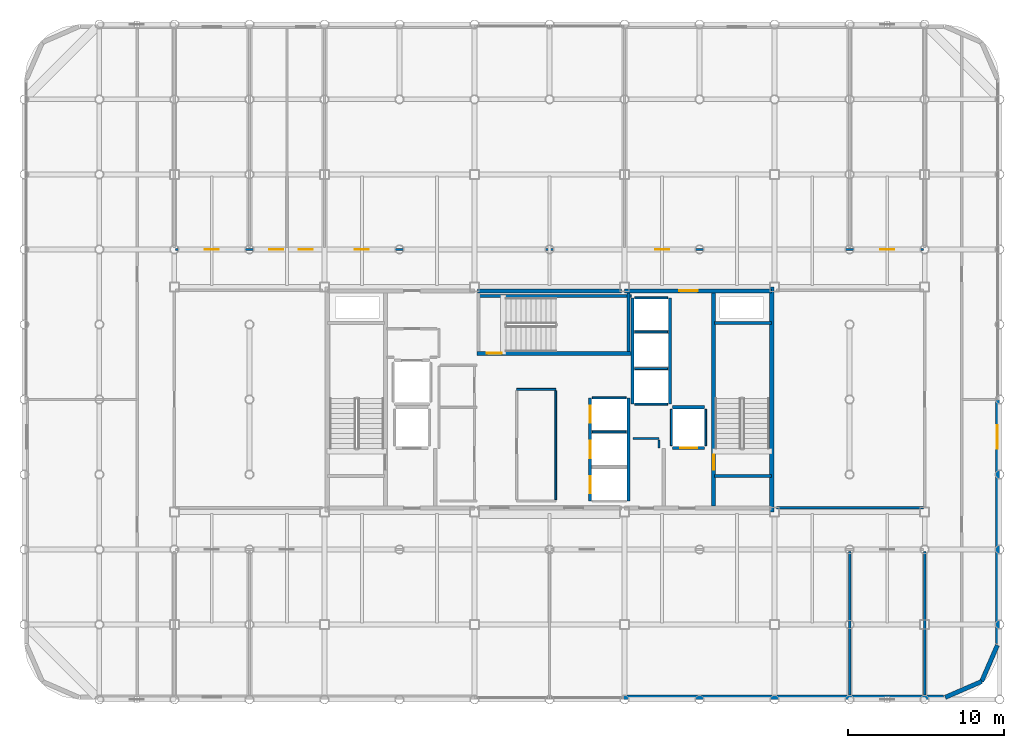
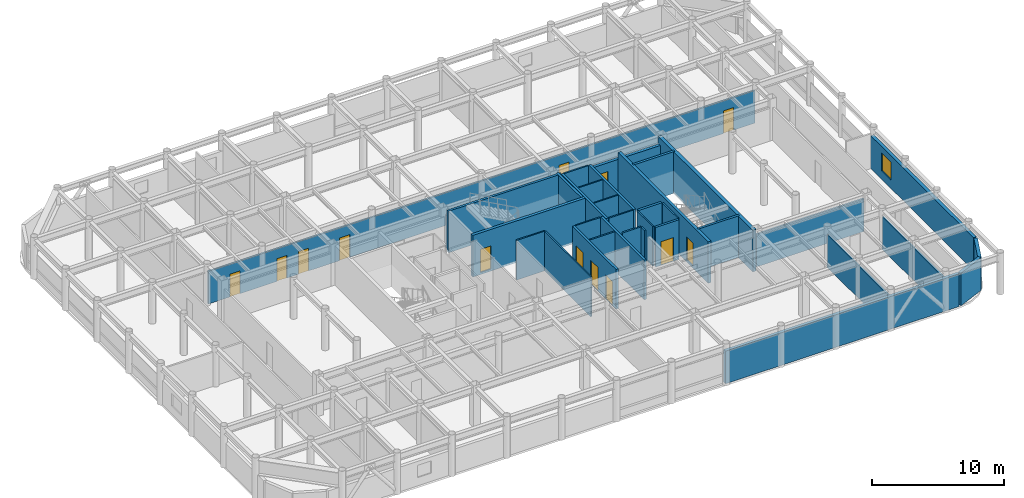
# One storey, part 19 of 21: 35 walls, 13 doors, 1 window, 14 openings.
"""IFC4 building model written with IfcOpenShell, lengths in metres."""

from ifc_helpers import new_model, si_unit, direction, frame, frame_2d, origin, place, context, subcontext, project, spatial, rectangle, extrude, material, layer, layer_set, type_object, element, fill, save


model = new_model("IFC4")

# Units and contexts
model_context = context("Model", 3, precision=1e-05, world=origin(), true_north=direction((0.0, 1.0)))
body_context = subcontext(model_context, "Body", "Model", "MODEL_VIEW")
ifc_project = project(units=[si_unit("LENGTHUNIT", "METRE"), si_unit("AREAUNIT", "SQUARE_METRE"), si_unit("VOLUMEUNIT", "CUBIC_METRE"), si_unit("PLANEANGLEUNIT", "RADIAN"), si_unit("MASSUNIT", "GRAM", prefix="KILO")], contexts=[model_context])

# Site, building, storey
site_placement = place(None, origin())
site = spatial("IfcSite", under=ifc_project, at=site_placement, CompositionType="ELEMENT")
building_placement = place(site_placement, origin())
building = spatial("IfcBuilding", under=site, at=building_placement, Name="Kallvorn Hotel Tower", CompositionType="ELEMENT")
storey_placement = place(building_placement, frame((0.0, 0.0, 268.5)))
storey = spatial("IfcBuildingStorey", under=building, at=storey_placement, Name="L67", CompositionType="ELEMENT", Elevation=268.5)

# Walls
ifc_material_1 = material(Name="Concrete C50/60", Category="concrete")
ifc_layer_1 = layer(ifc_material_1, 0.300048828125)
ifc_layer_set_1 = layer_set([ifc_layer_1], Name="WL_CORE_300")
wall_type_1 = type_object("IfcWallType", Name="WL_CORE_300", PredefinedType="SHEAR", material=ifc_layer_set_1)
wall_1_placement = place(storey_placement, frame((14.215087890625, -7.199951171875, -0.179931640625), z_axis=(0.0, 0.0, 1.0), x_axis=(0.0, 1.0, 0.0)))
element("IfcWall", 1, at=wall_1_placement, inside=storey, type_object=wall_type_1, Name="L67 Core East Shear Wall", PredefinedType="SHEAR", context=body_context, shape_type="SweptSolid", body=[
    extrude(rectangle(XDim=14.39990234375, YDim=0.300048828125, at=frame_2d((7.199951171875, 0.0))), origin(), (0.0, 0.0, 1.0), 3.849853515625),
])
ifc_material_2 = material(Name="Precast basalt-clad insulated concrete wall C40/50", Category="masonry")
ifc_layer_2 = layer(ifc_material_2, 0.280029296875)
ifc_layer_set_2 = layer_set([ifc_layer_2], Name="WL_EXT_LOGGIA_280")
wall_type_2 = type_object("IfcWallType", Name="WL_EXT_LOGGIA_280", PredefinedType="SOLIDWALL", material=ifc_layer_set_2)
wall_2_placement = place(storey_placement, frame((25.32080078125, -19.057861328125, 0.0), z_axis=(0.0, 0.0, 1.0), x_axis=(0.917060872934, 0.398747232384, 0.0)))
element("IfcWall", 2, at=wall_2_placement, inside=storey, type_object=wall_type_2, Name="L67 Rounded Corner Exterior Wall SE1", PredefinedType="SOLIDWALL", context=body_context, shape_type="SweptSolid", body=[
    extrude(rectangle(XDim=2.5361328125, YDim=0.280029296875, at=frame_2d((1.26806640625, 0.0))), origin(), (0.0, 0.0, 1.0), 3.02001953125),
])
wall_3_placement = place(storey_placement, frame((27.646484375, -18.046630859375, 0.0), z_axis=(0.0, 0.0, 1.0), x_axis=(0.398792985289, 0.917040977756, 0.0)))
element("IfcWall", 3, at=wall_3_placement, inside=storey, type_object=wall_type_2, Name="L67 Rounded Corner Exterior Wall SE2", PredefinedType="SOLIDWALL", context=body_context, shape_type="SweptSolid", body=[
    extrude(rectangle(XDim=2.536376953125, YDim=0.280029296875, at=frame_2d((1.26806640625, 0.0))), origin(), (0.0, 0.0, 1.0), 3.02001953125),
])
wall_4_placement = place(storey_placement, frame((4.75, -19.06005859375, 0.0), z_axis=(0.0, 0.0, 1.0), x_axis=(1.0, 0.0, 0.0)))
element("IfcWall", 4, at=wall_4_placement, inside=storey, type_object=wall_type_2, Name="L67 Exterior Envelope Wall EW-L67-SE", PredefinedType="SOLIDWALL", context=body_context, shape_type="SweptSolid", body=[
    extrude(rectangle(XDim=20.449951171875, YDim=0.280029296875, at=frame_2d((10.22509765625, 0.0))), origin(), (0.0, 0.0, 1.0), 3.02001953125),
])

# Wall, opening, window
wall_5_placement = place(storey_placement, frame((28.659912109375, -15.60009765625, 0.0), z_axis=(0.0, 0.0, 1.0), x_axis=(0.0, 1.0, 0.0)))
wall_5 = element("IfcWall", 5, at=wall_5_placement, inside=storey, type_object=wall_type_2, Name="L67 Exterior Envelope Wall EW-L67-ES", PredefinedType="SOLIDWALL", context=body_context, shape_type="SweptSolid", body=[
    extrude(rectangle(XDim=15.580078125, YDim=0.280029296875, at=frame_2d((7.7900390625, 0.0))), origin(), (0.0, 0.0, 1.0), 3.02001953125),
])
opening_1_placement = place(wall_5_placement, frame((12.449951171875, 0.0, 0.75)))
opening_1 = element("IfcOpeningElement", 6, at=opening_1_placement, cuts=wall_5, Name="Opening W05", PredefinedType="OPENING", context=body_context, shape_type="SweptSolid", body=[
    extrude(rectangle(XDim=1.5, YDim=1.699951171875, at=frame_2d((0.75, 0.85009765625))), frame((0.0, 0.155029296875, 0.0), z_axis=(0.0, -1.0, 0.0), x_axis=(1.0, 0.0, 0.0)), (0.0, 0.0, 1.0), 0.31005859375),
])
ifc_material_3 = material(Name="Double-glazed low-e solar-control dark glass", Category="glass")
window_type = type_object("IfcWindowType", Name="WN_HTL_1500x1700", PartitioningType="SINGLE_PANEL", PredefinedType="WINDOW", material=ifc_material_3)
window_placement = place(opening_1_placement, origin())
window = element("IfcWindow", 7, at=window_placement, inside=storey, type_object=window_type, Name="L67 Flank Wing Window 04", OverallHeight=1.699951171875, OverallWidth=1.5, PartitioningType="SINGLE_PANEL", PredefinedType="WINDOW", context=body_context, shape_type="SweptSolid", body=[
    extrude(rectangle(XDim=1.5, YDim=1.699951171875, at=frame_2d((0.75, 0.85009765625))), frame((0.0, 0.030029296875, 0.0), z_axis=(0.0, -1.0, 0.0), x_axis=(1.0, 0.0, 0.0)), (0.0, 0.0, 1.0), 0.06005859375),
])
fill(opening_1, window)

# Walls
ifc_material_4 = material(Name="Concrete C40/50", Category="concrete")
ifc_layer_3 = layer(ifc_material_4, 0.199951171875)
ifc_layer_set_3 = layer_set([ifc_layer_3], Name="WL_HOIST_200")
wall_type_3 = type_object("IfcWallType", Name="WL_HOIST_200", PredefinedType="SOLIDWALL", material=ifc_layer_set_3)
for number, where, z_axis, x_axis, name in (
    (8, (10.550048828125, -4.89990234375, -0.179931640625), (0.0, 0.0, 1.0), (1.0, 0.0, 0.0), "L67 Stair ST2 South Wall"),
    (9, (10.550048828125, 4.89990234375, -0.179931640625), (0.0, 0.0, 1.0), (1.0, 0.0, 0.0), "L67 Stair ST2 North Wall"),
):
    element("IfcWall", number, at=place(storey_placement, frame(where, z_axis=z_axis, x_axis=x_axis)), inside=storey, type_object=wall_type_3, Name=name, PredefinedType="SOLIDWALL", context=body_context, shape_type="SweptSolid", body=[
        extrude(rectangle(XDim=3.64990234375, YDim=0.199951171875, at=frame_2d((1.824951171875, 0.0))), origin(), (0.0, 0.0, 1.0), 3.849853515625),
    ])
wall_6_placement = place(storey_placement, frame((-4.64990234375, 6.610107421875, -0.179931640625), z_axis=(0.0, 0.0, 1.0), x_axis=(1.0, 0.0, 0.0)))
element("IfcWall", 10, at=wall_6_placement, inside=storey, type_object=wall_type_3, Name="L67 Stair ST3 Shaft North Wall", PredefinedType="SOLIDWALL", context=body_context, shape_type="SweptSolid", body=[
    extrude(rectangle(XDim=9.89990234375, YDim=0.199951171875, at=frame_2d((4.949951171875, 0.0))), origin(), (0.0, 0.0, 1.0), 3.849853515625),
])
wall_7_placement = place(storey_placement, frame((5.06005859375, 3.080078125, -0.179931640625), z_axis=(0.0, 0.0, 1.0), x_axis=(0.0, 1.0, 0.0)))
element("IfcWall", 11, at=wall_7_placement, inside=storey, type_object=wall_type_3, Name="L67 Stair ST3 East Wall", PredefinedType="SOLIDWALL", context=body_context, shape_type="SweptSolid", body=[
    extrude(rectangle(XDim=3.739990234375, YDim=0.199951171875, at=frame_2d((1.8701171875, 0.0))), origin(), (0.0, 0.0, 1.0), 3.849853515625),
])

# Wall, openings, doors
wall_8_placement = place(storey_placement, frame((2.60009765625, -6.5, 0.0), z_axis=(0.0, 0.0, 1.0), x_axis=(0.0, 1.0, 0.0)))
wall_8 = element("IfcWall", 12, at=wall_8_placement, inside=storey, type_object=wall_type_3, Name="L67 Lift Bank B3A Landing Wall", PredefinedType="SOLIDWALL", context=body_context, shape_type="SweptSolid", body=[
    extrude(rectangle(XDim=6.60009765625, YDim=0.199951171875, at=frame_2d((3.300048828125, 0.0))), origin(), (0.0, 0.0, 1.0), 3.669921875),
])
opening_2_placement = place(wall_8_placement, frame((0.5, 0.0, 0.0)))
opening_2 = element("IfcOpeningElement", 13, at=opening_2_placement, cuts=wall_8, Name="Opening LD-PL-09", PredefinedType="OPENING", context=body_context, shape_type="SweptSolid", body=[
    extrude(rectangle(XDim=1.10009765625, YDim=2.199951171875, at=frame_2d((0.550048828125, 1.10009765625))), frame((0.0, 0.114990234375, 0.0), z_axis=(0.0, -1.0, 0.0), x_axis=(1.0, 0.0, 0.0)), (0.0, 0.0, 1.0), 0.22998046875),
])
opening_3_placement = place(wall_8_placement, frame((2.75, 0.0, 0.0)))
opening_3 = element("IfcOpeningElement", 14, at=opening_3_placement, cuts=wall_8, Name="Opening LD-PL-10", PredefinedType="OPENING", context=body_context, shape_type="SweptSolid", body=[
    extrude(rectangle(XDim=1.10009765625, YDim=2.199951171875, at=frame_2d((0.550048828125, 1.10009765625))), frame((0.0, 0.114990234375, 0.0), z_axis=(0.0, -1.0, 0.0), x_axis=(1.0, 0.0, 0.0)), (0.0, 0.0, 1.0), 0.22998046875),
])
opening_4_placement = place(wall_8_placement, frame((5.0, 0.0, 0.0)))
opening_4 = element("IfcOpeningElement", 15, at=opening_4_placement, cuts=wall_8, Name="Opening LD-PL-11", PredefinedType="OPENING", context=body_context, shape_type="SweptSolid", body=[
    extrude(rectangle(XDim=1.10009765625, YDim=2.199951171875, at=frame_2d((0.550048828125, 1.10009765625))), frame((0.0, 0.114990234375, 0.0), z_axis=(0.0, -1.0, 0.0), x_axis=(1.0, 0.0, 0.0)), (0.0, 0.0, 1.0), 0.22998046875),
])
ifc_material_5 = material(Name="Brushed stainless-steel automatic sliding lift landing door", Category="steel")
door_type_1 = type_object("IfcDoorType", Name="LD_PASS_1100x2200", OperationType="SLIDING_TO_LEFT", PredefinedType="DOOR", material=ifc_material_5)
door_1_placement = place(opening_2_placement, origin())
door_1 = element("IfcDoor", 16, at=door_1_placement, inside=storey, type_object=door_type_1, Name="L67 Lift Landing Sliding Door LD-PL-09", OperationType="SLIDING_TO_LEFT", OverallHeight=2.199951171875, OverallWidth=1.10009765625, PredefinedType="DOOR", context=body_context, shape_type="SweptSolid", body=[
    extrude(rectangle(XDim=1.10009765625, YDim=2.199951171875, at=frame_2d((0.550048828125, 1.10009765625))), frame((0.0, 0.02490234375, 0.0), z_axis=(0.0, -1.0, 0.0), x_axis=(1.0, 0.0, 0.0)), (0.0, 0.0, 1.0), 0.050048828125),
])
fill(opening_2, door_1)
door_2_placement = place(opening_3_placement, origin())
door_2 = element("IfcDoor", 17, at=door_2_placement, inside=storey, type_object=door_type_1, Name="L67 Lift Landing Sliding Door LD-PL-10", OperationType="SLIDING_TO_LEFT", OverallHeight=2.199951171875, OverallWidth=1.10009765625, PredefinedType="DOOR", context=body_context, shape_type="SweptSolid", body=[
    extrude(rectangle(XDim=1.10009765625, YDim=2.199951171875, at=frame_2d((0.550048828125, 1.10009765625))), frame((0.0, 0.02490234375, 0.0), z_axis=(0.0, -1.0, 0.0), x_axis=(1.0, 0.0, 0.0)), (0.0, 0.0, 1.0), 0.050048828125),
])
fill(opening_3, door_2)
door_3_placement = place(opening_4_placement, origin())
door_3 = element("IfcDoor", 18, at=door_3_placement, inside=storey, type_object=door_type_1, Name="L67 Lift Landing Sliding Door LD-PL-11", OperationType="SLIDING_TO_LEFT", OverallHeight=2.199951171875, OverallWidth=1.10009765625, PredefinedType="DOOR", context=body_context, shape_type="SweptSolid", body=[
    extrude(rectangle(XDim=1.10009765625, YDim=2.199951171875, at=frame_2d((0.550048828125, 1.10009765625))), frame((0.0, 0.02490234375, 0.0), z_axis=(0.0, -1.0, 0.0), x_axis=(1.0, 0.0, 0.0)), (0.0, 0.0, 1.0), 0.050048828125),
])
fill(opening_4, door_3)

# Walls
wall_9_placement = place(storey_placement, frame((5.050048828125, -6.5, 0.0), z_axis=(0.0, 0.0, 1.0), x_axis=(0.0, 1.0, 0.0)))
element("IfcWall", 19, at=wall_9_placement, inside=storey, type_object=wall_type_3, Name="L67 Lift Bank B3A Rear Shaft Wall", PredefinedType="SOLIDWALL", context=body_context, shape_type="SweptSolid", body=[
    extrude(rectangle(XDim=6.60009765625, YDim=0.199951171875, at=frame_2d((3.300048828125, 0.0))), origin(), (0.0, 0.0, 1.0), 3.669921875),
])
for number, where, z_axis, x_axis, name in (
    (20, (7.699951171875, -0.300048828125, 0.0), (0.0, 0.0, 1.0), (0.0, 1.0, 0.0), "L67 Lift Bank OBS Landing Wall"),
    (21, (5.300048828125, -0.300048828125, 0.0), (0.0, 0.0, 1.0), (0.0, 1.0, 0.0), "L67 Lift Bank OBS Rear Shaft Wall"),
):
    element("IfcWall", number, at=place(storey_placement, frame(where, z_axis=z_axis, x_axis=x_axis)), inside=storey, type_object=wall_type_3, Name=name, PredefinedType="SOLIDWALL", context=body_context, shape_type="SweptSolid", body=[
        extrude(rectangle(XDim=6.800048828125, YDim=0.199951171875, at=frame_2d((3.39990234375, 0.0))), origin(), (0.0, 0.0, 1.0), 3.669921875),
    ])

# Wall, opening, door
wall_10_placement = place(storey_placement, frame((7.8798828125, -3.10009765625, 0.0), z_axis=(0.0, 0.0, 1.0), x_axis=(1.0, 0.0, 0.0)))
wall_10 = element("IfcWall", 22, at=wall_10_placement, inside=storey, type_object=wall_type_3, Name="L67 FL-2 Landing Wall", PredefinedType="SOLIDWALL", context=body_context, shape_type="SweptSolid", body=[
    extrude(rectangle(XDim=2.0400390625, YDim=0.199951171875, at=frame_2d((1.02001953125, 0.0))), origin(), (0.0, 0.0, 1.0), 3.669921875),
])
opening_5_placement = place(wall_10_placement, frame((0.469970703125, 0.0, 0.0)))
opening_5 = element("IfcOpeningElement", 23, at=opening_5_placement, cuts=wall_10, Name="Opening LD-FL-2", PredefinedType="OPENING", context=body_context, shape_type="SweptSolid", body=[
    extrude(rectangle(XDim=1.10009765625, YDim=2.199951171875, at=frame_2d((0.550048828125, 1.10009765625))), frame((0.0, 0.114990234375, 0.0), z_axis=(0.0, -1.0, 0.0), x_axis=(1.0, 0.0, 0.0)), (0.0, 0.0, 1.0), 0.22998046875),
])
door_4_placement = place(opening_5_placement, origin())
door_4 = element("IfcDoor", 24, at=door_4_placement, inside=storey, type_object=door_type_1, Name="L67 Lift Landing Sliding Door LD-FL-2", OperationType="SLIDING_TO_LEFT", OverallHeight=2.199951171875, OverallWidth=1.10009765625, PredefinedType="DOOR", context=body_context, shape_type="SweptSolid", body=[
    extrude(rectangle(XDim=1.10009765625, YDim=2.199951171875, at=frame_2d((0.550048828125, 1.10009765625))), frame((0.0, 0.02490234375, 0.0), z_axis=(0.0, -1.0, 0.0), x_axis=(1.0, 0.0, 0.0)), (0.0, 0.0, 1.0), 0.050048828125),
])
fill(opening_5, door_4)

# Walls
wall_11_placement = place(storey_placement, frame((7.8798828125, -0.5, 0.0), z_axis=(0.0, 0.0, 1.0), x_axis=(1.0, 0.0, 0.0)))
element("IfcWall", 25, at=wall_11_placement, inside=storey, type_object=wall_type_3, Name="L67 FL-2 Rear Shaft Wall", PredefinedType="SOLIDWALL", context=body_context, shape_type="SweptSolid", body=[
    extrude(rectangle(XDim=2.0400390625, YDim=0.199951171875, at=frame_2d((1.02001953125, 0.0))), origin(), (0.0, 0.0, 1.0), 3.669921875),
])
ifc_material_6 = material(Name="Fire-rated double-layer acoustic gypsum drywall EI 60")
ifc_layer_4 = layer(ifc_material_6, 0.1201171875)
ifc_layer_set_4 = layer_set([ifc_layer_4], Name="WL_INT_120")
wall_type_4 = type_object("IfcWallType", Name="WL_INT_120", PredefinedType="PARTITIONING", material=ifc_layer_set_4)
for number, where, z_axis, x_axis, name in (
    (26, (2.739990234375, -2.074951171875, 0.0), (0.0, 0.0, 1.0), (1.0, 0.0, 0.0), "L67 PL-10 Hoistway Divider"),
    (27, (2.739990234375, 0.10009765625, 0.0), (0.0, 0.0, 1.0), (1.0, 0.0, 0.0), "L67 PL-11 Hoistway Divider"),
):
    element("IfcWall", number, at=place(storey_placement, frame(where, z_axis=z_axis, x_axis=x_axis)), inside=storey, type_object=wall_type_4, Name=name, PredefinedType="PARTITIONING", context=body_context, shape_type="SweptSolid", body=[
        extrude(rectangle(XDim=2.169921875, YDim=0.1201171875, at=frame_2d((1.0849609375, 0.0))), origin(), (0.0, 0.0, 1.0), 3.669921875),
    ])
for number, where, z_axis, x_axis, name in (
    (28, (5.43994140625, -0.300048828125, 0.0), (0.0, 0.0, 1.0), (1.0, 0.0, 0.0), "L67 Lift Bank OBS South Closure Wall"),
    (29, (5.43994140625, 1.97509765625, 0.0), (0.0, 0.0, 1.0), (1.0, 0.0, 0.0), "L67 OB-01 Hoistway Divider"),
    (30, (5.43994140625, 4.324951171875, 0.0), (0.0, 0.0, 1.0), (1.0, 0.0, 0.0), "L67 OB-02 Hoistway Divider"),
    (31, (5.43994140625, 6.5, 0.0), (0.0, 0.0, 1.0), (1.0, 0.0, 0.0), "L67 OB-03 Hoistway Divider"),
):
    element("IfcWall", number, at=place(storey_placement, frame(where, z_axis=z_axis, x_axis=x_axis)), inside=storey, type_object=wall_type_4, Name=name, PredefinedType="PARTITIONING", context=body_context, shape_type="SweptSolid", body=[
        extrude(rectangle(XDim=2.1201171875, YDim=0.1201171875, at=frame_2d((1.06005859375, 0.0))), origin(), (0.0, 0.0, 1.0), 3.669921875),
    ])
for number, where, z_axis, x_axis, name in (
    (32, (7.800048828125, -2.9599609375, 0.0), (0.0, 0.0, 1.0), (0.0, 1.0, 0.0), "L67 FL-2 West Shaft Wall"),
    (33, (10.0, -2.9599609375, 0.0), (0.0, 0.0, 1.0), (0.0, 1.0, 0.0), "L67 FL-2 East Shaft Wall"),
):
    element("IfcWall", number, at=place(storey_placement, frame(where, z_axis=z_axis, x_axis=x_axis)), inside=storey, type_object=wall_type_4, Name=name, PredefinedType="PARTITIONING", context=body_context, shape_type="SweptSolid", body=[
        extrude(rectangle(XDim=2.320068359375, YDim=0.1201171875, at=frame_2d((1.16015625, 0.0))), origin(), (0.0, 0.0, 1.0), 3.669921875),
    ])
wall_12_placement = place(storey_placement, frame((-2.10009765625, 0.64990234375, 0.0), z_axis=(0.0, 0.0, 1.0), x_axis=(1.0, 0.0, 0.0)))
element("IfcWall", 34, at=wall_12_placement, inside=storey, type_object=wall_type_4, Name="L67 High-Zone IT and Tableware Reserve Room Partition", PredefinedType="PARTITIONING", context=body_context, shape_type="SweptSolid", body=[
    extrude(rectangle(XDim=2.5, YDim=0.1201171875, at=frame_2d((1.25, 0.0))), origin(), (0.0, 0.0, 1.0), 3.669921875),
])
wall_13_placement = place(storey_placement, frame((0.39990234375, -6.4150390625, 0.0), z_axis=(0.0, 0.0, 1.0), x_axis=(0.0, 1.0, 0.0)))
element("IfcWall", 35, at=wall_13_placement, inside=storey, type_object=wall_type_4, Name="L67 High-Zone IT and Tableware Reserve Room Partition", PredefinedType="PARTITIONING", context=body_context, shape_type="SweptSolid", body=[
    extrude(rectangle(XDim=6.97998046875, YDim=0.1201171875, at=frame_2d((3.489990234375, 0.0))), origin(), (0.0, 0.0, 1.0), 3.669921875),
])
ifc_material_7 = material(Name="Fire-rated double-layer acoustic gypsum drywall EI 60")
ifc_layer_5 = layer(ifc_material_7, 0.14990234375)
ifc_layer_set_5 = layer_set([ifc_layer_5], Name="WL_PART_150")
wall_type_5 = type_object("IfcWallType", Name="WL_PART_150", PredefinedType="PARTITIONING", material=ifc_layer_set_5)
wall_14_placement = place(storey_placement, frame((14.52001953125, -6.919921875, 0.0), z_axis=(0.0, 0.0, 1.0), x_axis=(1.0, 0.0, 0.0)))
element("IfcWall", 36, at=wall_14_placement, inside=storey, type_object=wall_type_5, Name="L67 L67 High-Zone Inner East Club Gallery Partition", PredefinedType="PARTITIONING", context=body_context, shape_type="SweptSolid", body=[
    extrude(rectangle(XDim=9.39990234375, YDim=0.14990234375, at=frame_2d((4.699951171875, 0.0))), origin(), (0.0, 0.0, 1.0), 3.02001953125),
])

# Wall, openings, doors
wall_15_placement = place(storey_placement, frame((-23.919921875, 9.60009765625, 0.0), z_axis=(0.0, 0.0, 1.0), x_axis=(1.0, 0.0, 0.0)))
wall_15 = element("IfcWall", 37, at=wall_15_placement, inside=storey, type_object=wall_type_5, Name="L67 L67 High-Zone North-West Reading Salon Partition", PredefinedType="PARTITIONING", context=body_context, shape_type="SweptSolid", body=[
    extrude(rectangle(XDim=47.83984375, YDim=0.14990234375, at=frame_2d((23.919921875, 0.0))), origin(), (0.0, 0.0, 1.0), 3.02001953125),
])
opening_6_placement = place(wall_15_placement, frame((1.8701171875, 0.0, 0.0)))
opening_6 = element("IfcOpeningElement", 38, at=opening_6_placement, cuts=wall_15, Name="Opening SVD1", PredefinedType="OPENING", context=body_context, shape_type="SweptSolid", body=[
    extrude(rectangle(XDim=0.89990234375, YDim=2.10009765625, at=frame_2d((0.449951171875, 1.050048828125))), frame((0.0, 0.08984375, 0.0), z_axis=(0.0, -1.0, 0.0), x_axis=(1.0, 0.0, 0.0)), (0.0, 0.0, 1.0), 0.179931640625),
])
opening_7_placement = place(wall_15_placement, frame((45.070068359375, 0.0, 0.0)))
opening_7 = element("IfcOpeningElement", 39, at=opening_7_placement, cuts=wall_15, Name="Opening SVD1", PredefinedType="OPENING", context=body_context, shape_type="SweptSolid", body=[
    extrude(rectangle(XDim=0.89990234375, YDim=2.10009765625, at=frame_2d((0.449951171875, 1.050048828125))), frame((0.0, 0.08984375, 0.0), z_axis=(0.0, -1.0, 0.0), x_axis=(1.0, 0.0, 0.0)), (0.0, 0.0, 1.0), 0.179931640625),
])
opening_8_placement = place(wall_15_placement, frame((5.97998046875, 0.0, 0.0)))
opening_8 = element("IfcOpeningElement", 40, at=opening_8_placement, cuts=wall_15, Name="Opening SVD1", PredefinedType="OPENING", context=body_context, shape_type="SweptSolid", body=[
    extrude(rectangle(XDim=0.89990234375, YDim=2.10009765625, at=frame_2d((0.449951171875, 1.050048828125))), frame((0.0, 0.08984375, 0.0), z_axis=(0.0, -1.0, 0.0), x_axis=(1.0, 0.0, 0.0)), (0.0, 0.0, 1.0), 0.179931640625),
])
opening_9_placement = place(wall_15_placement, frame((7.8701171875, 0.0, 0.0)))
opening_9 = element("IfcOpeningElement", 41, at=opening_9_placement, cuts=wall_15, Name="Opening SVD1", PredefinedType="OPENING", context=body_context, shape_type="SweptSolid", body=[
    extrude(rectangle(XDim=0.89990234375, YDim=2.10009765625, at=frame_2d((0.449951171875, 1.050048828125))), frame((0.0, 0.08984375, 0.0), z_axis=(0.0, -1.0, 0.0), x_axis=(1.0, 0.0, 0.0)), (0.0, 0.0, 1.0), 0.179931640625),
])
opening_10_placement = place(wall_15_placement, frame((11.469970703125, 0.0, 0.0)))
opening_10 = element("IfcOpeningElement", 42, at=opening_10_placement, cuts=wall_15, Name="Opening SVD1", PredefinedType="OPENING", context=body_context, shape_type="SweptSolid", body=[
    extrude(rectangle(XDim=0.89990234375, YDim=2.10009765625, at=frame_2d((0.449951171875, 1.050048828125))), frame((0.0, 0.08984375, 0.0), z_axis=(0.0, -1.0, 0.0), x_axis=(1.0, 0.0, 0.0)), (0.0, 0.0, 1.0), 0.179931640625),
])
opening_11_placement = place(wall_15_placement, frame((30.669921875, 0.0, 0.0)))
opening_11 = element("IfcOpeningElement", 43, at=opening_11_placement, cuts=wall_15, Name="Opening SVD1", PredefinedType="OPENING", context=body_context, shape_type="SweptSolid", body=[
    extrude(rectangle(XDim=0.89990234375, YDim=2.10009765625, at=frame_2d((0.449951171875, 1.050048828125))), frame((0.0, 0.08984375, 0.0), z_axis=(0.0, -1.0, 0.0), x_axis=(1.0, 0.0, 0.0)), (0.0, 0.0, 1.0), 0.179931640625),
])
ifc_material_8 = material(Name="Galvanised painted steel fire-rated door assembly", Category="steel")
door_type_2 = type_object("IfcDoorType", Name="DR_SERV_900x2100", OperationType="NOTDEFINED", PredefinedType="DOOR", material=ifc_material_8)
door_5_placement = place(opening_6_placement, origin())
door_5 = element("IfcDoor", 44, at=door_5_placement, inside=storey, type_object=door_type_2, Name="L67 L67 High-Zone North-West Reading Salon Door", OperationType="SINGLE_SWING_LEFT", OverallHeight=2.10009765625, OverallWidth=0.89990234375, PredefinedType="DOOR", context=body_context, shape_type="SweptSolid", body=[
    extrude(rectangle(XDim=0.89990234375, YDim=2.10009765625, at=frame_2d((0.449951171875, 1.050048828125))), frame((0.0, 0.02490234375, 0.0), z_axis=(0.0, -1.0, 0.0), x_axis=(1.0, 0.0, 0.0)), (0.0, 0.0, 1.0), 0.050048828125),
])
fill(opening_6, door_5)
door_6_placement = place(opening_7_placement, origin())
door_6 = element("IfcDoor", 45, at=door_6_placement, inside=storey, type_object=door_type_2, Name="L67 L67 High-Zone North-East Pastry Bar Door", OperationType="SINGLE_SWING_LEFT", OverallHeight=2.10009765625, OverallWidth=0.89990234375, PredefinedType="DOOR", context=body_context, shape_type="SweptSolid", body=[
    extrude(rectangle(XDim=0.89990234375, YDim=2.10009765625, at=frame_2d((0.449951171875, 1.050048828125))), frame((0.0, 0.02490234375, 0.0), z_axis=(0.0, -1.0, 0.0), x_axis=(1.0, 0.0, 0.0)), (0.0, 0.0, 1.0), 0.050048828125),
])
fill(opening_7, door_6)
door_7_placement = place(opening_8_placement, origin())
door_7 = element("IfcDoor", 46, at=door_7_placement, inside=storey, type_object=door_type_2, Name="L67 Housekeeping and Linen Room Door", OperationType="SINGLE_SWING_RIGHT", OverallHeight=2.10009765625, OverallWidth=0.89990234375, PredefinedType="DOOR", context=body_context, shape_type="SweptSolid", body=[
    extrude(rectangle(XDim=0.89990234375, YDim=2.10009765625, at=frame_2d((0.449951171875, 1.050048828125))), frame((0.0, 0.02490234375, 0.0), z_axis=(0.0, -1.0, 0.0), x_axis=(1.0, 0.0, 0.0)), (0.0, 0.0, 1.0), 0.050048828125),
])
fill(opening_8, door_7)
door_8_placement = place(opening_9_placement, origin())
door_8 = element("IfcDoor", 47, at=door_8_placement, inside=storey, type_object=door_type_2, Name="L67 Guest Tea and Refreshment Bar Door", OperationType="SINGLE_SWING_RIGHT", OverallHeight=2.10009765625, OverallWidth=0.89990234375, PredefinedType="DOOR", context=body_context, shape_type="SweptSolid", body=[
    extrude(rectangle(XDim=0.89990234375, YDim=2.10009765625, at=frame_2d((0.449951171875, 1.050048828125))), frame((0.0, 0.02490234375, 0.0), z_axis=(0.0, -1.0, 0.0), x_axis=(1.0, 0.0, 0.0)), (0.0, 0.0, 1.0), 0.050048828125),
])
fill(opening_9, door_8)
door_9_placement = place(opening_10_placement, origin())
door_9 = element("IfcDoor", 48, at=door_9_placement, inside=storey, type_object=door_type_2, Name="L67 L67 Restaurant Culinary Catering Kitchen 2 Door", OperationType="SINGLE_SWING_RIGHT", OverallHeight=2.10009765625, OverallWidth=0.89990234375, PredefinedType="DOOR", context=body_context, shape_type="SweptSolid", body=[
    extrude(rectangle(XDim=0.89990234375, YDim=2.10009765625, at=frame_2d((0.449951171875, 1.050048828125))), frame((0.0, 0.02490234375, 0.0), z_axis=(0.0, -1.0, 0.0), x_axis=(1.0, 0.0, 0.0)), (0.0, 0.0, 1.0), 0.050048828125),
])
fill(opening_10, door_9)
door_10_placement = place(opening_11_placement, origin())
door_10 = element("IfcDoor", 49, at=door_10_placement, inside=storey, type_object=door_type_2, Name="L67 L67 Haute Couture Design Retail Shop 3 Door", OperationType="SINGLE_SWING_RIGHT", OverallHeight=2.10009765625, OverallWidth=0.89990234375, PredefinedType="DOOR", context=body_context, shape_type="SweptSolid", body=[
    extrude(rectangle(XDim=0.89990234375, YDim=2.10009765625, at=frame_2d((0.449951171875, 1.050048828125))), frame((0.0, 0.02490234375, 0.0), z_axis=(0.0, -1.0, 0.0), x_axis=(1.0, 0.0, 0.0)), (0.0, 0.0, 1.0), 0.050048828125),
])
fill(opening_11, door_10)

# Walls
for number, where, z_axis, x_axis, name in (
    (50, (19.199951171875, -18.909912109375, 0.0), (0.0, 0.0, 1.0), (0.0, 1.0, 0.0), "L67 L67 High-Zone South-East Wine Bar Partition"),
    (51, (24.0, -18.909912109375, 0.0), (0.0, 0.0, 1.0), (0.0, 1.0, 0.0), "L67 L67 High-Zone South-East Wine Bar Partition"),
):
    element("IfcWall", number, at=place(storey_placement, frame(where, z_axis=z_axis, x_axis=x_axis)), inside=storey, type_object=wall_type_5, Name=name, PredefinedType="PARTITIONING", context=body_context, shape_type="SweptSolid", body=[
        extrude(rectangle(XDim=9.18994140625, YDim=0.14990234375, at=frame_2d((4.594970703125, 0.0))), origin(), (0.0, 0.0, 1.0), 3.02001953125),
    ])
ifc_material_9 = material(Name="Moisture-resistant acoustic plumbing chase wall EI 60")
ifc_layer_6 = layer(ifc_material_9, 0.139892578125)
ifc_layer_set_6 = layer_set([ifc_layer_6], Name="WL_PLUMB_140")
wall_type_6 = type_object("IfcWallType", Name="WL_PLUMB_140", PredefinedType="PLUMBINGWALL", material=ifc_layer_set_6)
wall_16_placement = place(storey_placement, frame((5.35009765625, -2.5, 0.0), z_axis=(0.0, 0.0, 1.0), x_axis=(1.0, 0.0, 0.0)))
element("IfcWall", 52, at=wall_16_placement, inside=storey, type_object=wall_type_6, Name="L67 Core Accessible Staff WC Partition", PredefinedType="PLUMBINGWALL", context=body_context, shape_type="SweptSolid", body=[
    extrude(rectangle(XDim=1.64990234375, YDim=0.139892578125, at=frame_2d((0.824951171875, 0.0))), origin(), (0.0, 0.0, 1.0), 3.669921875),
])
wall_17_placement = place(storey_placement, frame((7.0, -3.110107421875, 0.0), z_axis=(0.0, 0.0, 1.0), x_axis=(0.0, 1.0, 0.0)))
element("IfcWall", 53, at=wall_17_placement, inside=storey, type_object=wall_type_6, Name="L67 Core Accessible Staff WC Partition", PredefinedType="PLUMBINGWALL", context=body_context, shape_type="SweptSolid", body=[
    extrude(rectangle(XDim=0.525146484375, YDim=0.139892578125, at=frame_2d((0.2626953125, 0.0))), origin(), (0.0, 0.0, 1.0), 3.669921875),
])
ifc_material_10 = material(Name="Concrete C40/50", Category="concrete")
ifc_layer_7 = layer(ifc_material_10, 0.25)
ifc_layer_set_7 = layer_set([ifc_layer_7], Name="WL_SHAFT_250")
wall_type_7 = type_object("IfcWallType", Name="WL_SHAFT_250", PredefinedType="SOLIDWALL", material=ifc_layer_set_7)
wall_18_placement = place(storey_placement, frame((-4.60009765625, 6.949951171875, 0.0), z_axis=(0.0, 0.0, 1.0), x_axis=(1.0, 0.0, 0.0)))
element("IfcWall", 54, at=wall_18_placement, inside=storey, type_object=wall_type_7, Name="L67 Core North-Central Wall", PredefinedType="SOLIDWALL", context=body_context, shape_type="SweptSolid", body=[
    extrude(rectangle(XDim=9.2001953125, YDim=0.25, at=frame_2d((4.60009765625, 0.0))), origin(), (0.0, 0.0, 1.0), 3.02001953125),
])

# Wall, opening, door
wall_19_placement = place(storey_placement, frame((4.800048828125, 6.949951171875, 0.0), z_axis=(0.0, 0.0, 1.0), x_axis=(1.0, 0.0, 0.0)))
wall_19 = element("IfcWall", 55, at=wall_19_placement, inside=storey, type_object=wall_type_7, Name="L67 Core North-East Wall", PredefinedType="SOLIDWALL", context=body_context, shape_type="SweptSolid", body=[
    extrude(rectangle(XDim=9.39990234375, YDim=0.25, at=frame_2d((4.699951171875, 0.0))), origin(), (0.0, 0.0, 1.0), 3.02001953125),
])
opening_12_placement = place(wall_19_placement, frame((3.5, 0.0, 0.0)))
opening_12 = element("IfcOpeningElement", 56, at=opening_12_placement, cuts=wall_19, Name="Opening FD2", PredefinedType="OPENING", context=body_context, shape_type="SweptSolid", body=[
    extrude(rectangle(XDim=1.199951171875, YDim=2.199951171875, at=frame_2d((0.60009765625, 1.10009765625))), frame((0.0, 0.139892578125, 0.0), z_axis=(0.0, -1.0, 0.0), x_axis=(1.0, 0.0, 0.0)), (0.0, 0.0, 1.0), 0.280029296875),
])
ifc_material_11 = material(Name="Galvanised painted steel fire-rated door assembly", Category="steel")
door_type_3 = type_object("IfcDoorType", Name="DR_LOBBY_1200x2200", OperationType="DOUBLE_DOOR_SINGLE_SWING", PredefinedType="DOOR", material=ifc_material_11)
door_11_placement = place(opening_12_placement, origin())
door_11 = element("IfcDoor", 57, at=door_11_placement, inside=storey, type_object=door_type_3, Name="L67 Observatory Shuttle Lobby Door", OperationType="DOUBLE_DOOR_SINGLE_SWING", OverallHeight=2.199951171875, OverallWidth=1.199951171875, PredefinedType="DOOR", context=body_context, shape_type="SweptSolid", body=[
    extrude(rectangle(XDim=1.199951171875, YDim=2.199951171875, at=frame_2d((0.60009765625, 1.10009765625))), frame((0.0, 0.02490234375, 0.0), z_axis=(0.0, -1.0, 0.0), x_axis=(1.0, 0.0, 0.0)), (0.0, 0.0, 1.0), 0.050048828125),
])
fill(opening_12, door_11)

wall_20_placement = place(storey_placement, frame((10.5, -6.820068359375, -0.179931640625), z_axis=(0.0, 0.0, 1.0), x_axis=(0.0, 1.0, 0.0)))
wall_20 = element("IfcWall", 58, at=wall_20_placement, inside=storey, type_object=wall_type_7, Name="L67 Stair ST2 Shaft Wall", PredefinedType="SOLIDWALL", context=body_context, shape_type="SweptSolid", body=[
    extrude(rectangle(XDim=13.64013671875, YDim=0.25, at=frame_2d((6.820068359375, 0.0))), origin(), (0.0, 0.0, 1.0), 3.849853515625),
])
opening_13_placement = place(wall_20_placement, frame((2.320068359375, 0.0, 0.179931640625)))
opening_13 = element("IfcOpeningElement", 59, at=opening_13_placement, cuts=wall_20, Name="Opening SD1", PredefinedType="OPENING", context=body_context, shape_type="SweptSolid", body=[
    extrude(rectangle(XDim=0.949951171875, YDim=2.14990234375, at=frame_2d((0.47509765625, 1.074951171875))), frame((0.0, 0.139892578125, 0.0), z_axis=(0.0, -1.0, 0.0), x_axis=(1.0, 0.0, 0.0)), (0.0, 0.0, 1.0), 0.280029296875),
])
ifc_material_12 = material(Name="Galvanised painted steel fire-rated door assembly", Category="steel")
door_type_4 = type_object("IfcDoorType", Name="DR_STAIR_950x2150", OperationType="NOTDEFINED", PredefinedType="DOOR", material=ifc_material_12)
door_12_placement = place(opening_13_placement, origin())
door_12 = element("IfcDoor", 60, at=door_12_placement, inside=storey, type_object=door_type_4, Name="L67 Exit Stair ST2 Fire Door", OperationType="SINGLE_SWING_LEFT", OverallHeight=2.14990234375, OverallWidth=0.949951171875, PredefinedType="DOOR", context=body_context, shape_type="SweptSolid", body=[
    extrude(rectangle(XDim=0.949951171875, YDim=2.14990234375, at=frame_2d((0.47509765625, 1.074951171875))), frame((0.0, 0.02490234375, 0.0), z_axis=(0.0, -1.0, 0.0), x_axis=(1.0, 0.0, 0.0)), (0.0, 0.0, 1.0), 0.050048828125),
])
fill(opening_13, door_12)

wall_21_placement = place(storey_placement, frame((-4.64990234375, 2.949951171875, -0.179931640625), z_axis=(0.0, 0.0, 1.0), x_axis=(1.0, 0.0, 0.0)))
wall_21 = element("IfcWall", 61, at=wall_21_placement, inside=storey, type_object=wall_type_7, Name="L67 Stair ST3 Shaft South Wall", PredefinedType="SOLIDWALL", context=body_context, shape_type="SweptSolid", body=[
    extrude(rectangle(XDim=9.89990234375, YDim=0.25, at=frame_2d((4.949951171875, 0.0))), origin(), (0.0, 0.0, 1.0), 3.849853515625),
])
opening_14_placement = place(wall_21_placement, frame((0.64990234375, 0.0, 0.179931640625)))
opening_14 = element("IfcOpeningElement", 62, at=opening_14_placement, cuts=wall_21, Name="Opening SD1", PredefinedType="OPENING", context=body_context, shape_type="SweptSolid", body=[
    extrude(rectangle(XDim=0.949951171875, YDim=2.14990234375, at=frame_2d((0.47509765625, 1.074951171875))), frame((0.0, 0.139892578125, 0.0), z_axis=(0.0, -1.0, 0.0), x_axis=(1.0, 0.0, 0.0)), (0.0, 0.0, 1.0), 0.280029296875),
])
door_13_placement = place(opening_14_placement, origin())
door_13 = element("IfcDoor", 63, at=door_13_placement, inside=storey, type_object=door_type_4, Name="L67 Exit Stair ST3 Fire Door", OperationType="SINGLE_SWING_RIGHT", OverallHeight=2.14990234375, OverallWidth=0.949951171875, PredefinedType="DOOR", context=body_context, shape_type="SweptSolid", body=[
    extrude(rectangle(XDim=0.949951171875, YDim=2.14990234375, at=frame_2d((0.47509765625, 1.074951171875))), frame((0.0, 0.02490234375, 0.0), z_axis=(0.0, -1.0, 0.0), x_axis=(1.0, 0.0, 0.0)), (0.0, 0.0, 1.0), 0.050048828125),
])
fill(opening_14, door_13)

save(model, "model.ifc")
